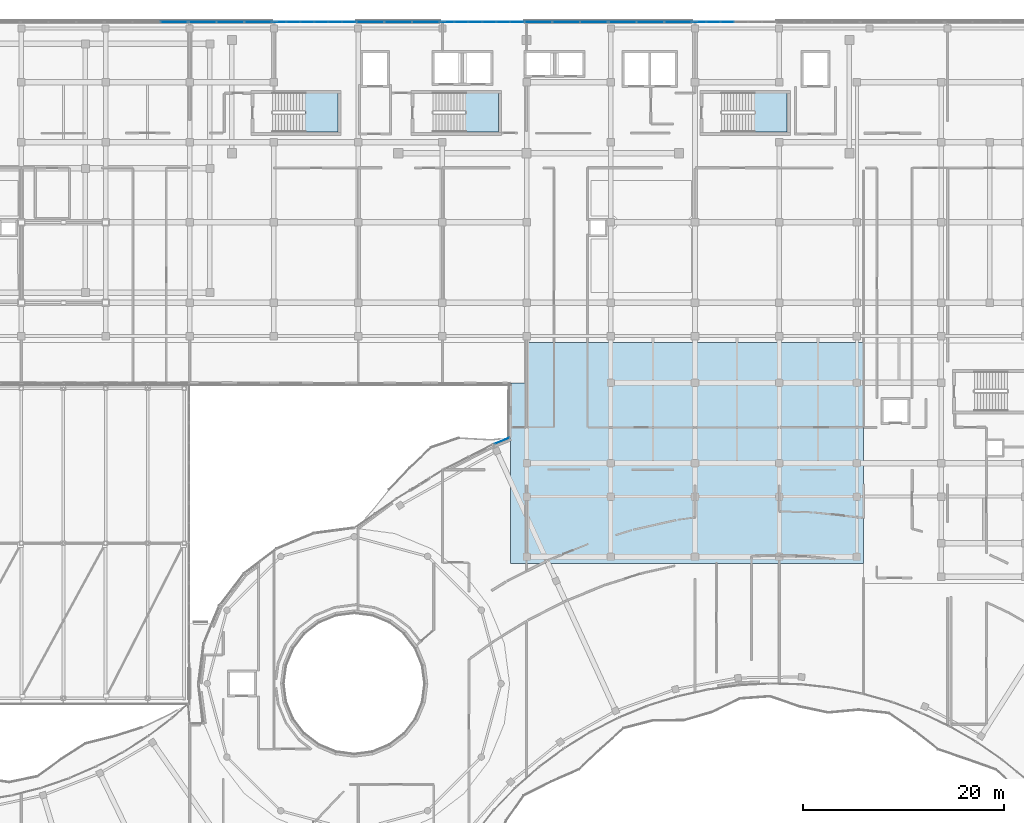
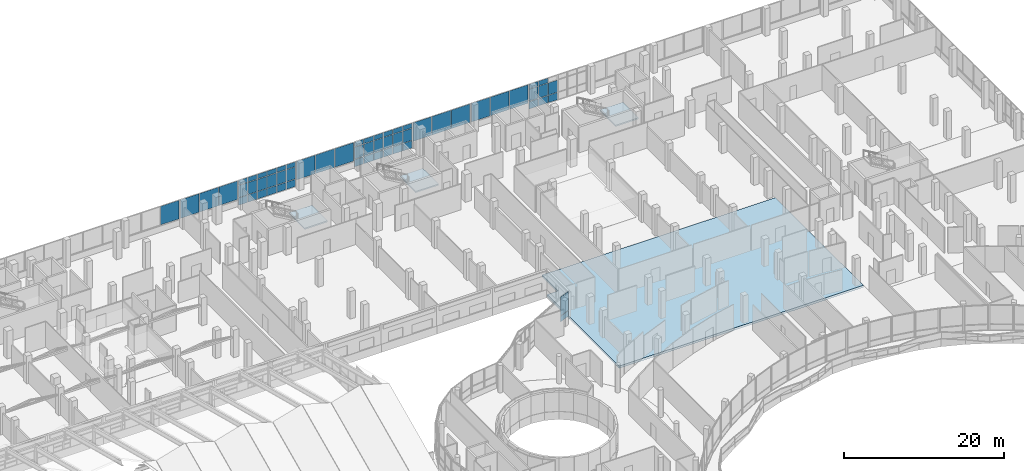
# One storey, part 155 of 184: 59 plates, 4 slabs, 12 elements without a shape of their own.
"""IFC4 building model written with IfcOpenShell, lengths in metres."""

from ifc_helpers import new_model, si_unit, direction, frame, origin, origin_2d, place, context, subcontext, project, spatial, polyline, rectangle, outline, extrude, material, layer, layer_set, type_object, element, aggregate, save


model = new_model("IFC4")

# Units and contexts
model_context = context("Model", 3, precision=1e-05, world=origin(), true_north=direction((0.0, 1.0)))
body_context = subcontext(model_context, "Body", "Model", "MODEL_VIEW")
ifc_project = project(units=[si_unit("LENGTHUNIT", "METRE"), si_unit("AREAUNIT", "SQUARE_METRE"), si_unit("VOLUMEUNIT", "CUBIC_METRE"), si_unit("PLANEANGLEUNIT", "RADIAN"), si_unit("MASSUNIT", "GRAM", prefix="KILO")], contexts=[model_context])

# Site, building, storey
site_placement = place(None, origin())
site = spatial("IfcSite", under=ifc_project, at=site_placement, CompositionType="ELEMENT")
building_placement = place(site_placement, origin())
building = spatial("IfcBuilding", under=site, at=building_placement, Name="Selatvlak General Hospital", CompositionType="ELEMENT")
storey_placement = place(building_placement, frame((0.0, 0.0, 15.0)))
storey = spatial("IfcBuildingStorey", under=building, at=storey_placement, Name="L03", CompositionType="ELEMENT", Elevation=15.0)

# Curtain wall, plate
ifc_material_1 = material(Name="Solar-control Low-E double glazing", Category="glass")
curtain_wall_type_1 = type_object("IfcCurtainWallType", Name="CW-CW-02", PredefinedType="USERDEFINED", material=ifc_material_1)
curtain_wall_1_placement = place(storey_placement, origin())
curtain_wall_1 = element("IfcCurtainWall", 1, at=curtain_wall_1_placement, inside=storey, type_object=curtain_wall_type_1, Name="Glazed facade curtain wall CW-L03-0371", ObjectType="UNITISED CURTAIN WALL", PredefinedType="USERDEFINED")
ifc_layer_1 = layer(ifc_material_1, 0.028076171875, Name="Solar-control Low-E double glazing", Category="glass")
ifc_layer_set_1 = layer_set([ifc_layer_1], Name="Solar-control Low-E double glazing")
plate_type = type_object("IfcPlateType", Name="CWP-01", PredefinedType="CURTAIN_PANEL", material=ifc_layer_set_1)
plate_1_placement = place(storey_placement, frame((80.025390625, 119.9990234375, 1.0048828125), z_axis=(0.0, 0.0, 1.0), x_axis=(1.0, 0.0, 0.0)))
plate_1 = element("IfcPlate", 2, at=plate_1_placement, type_object=plate_type, Name="CW-02 panel 3.1", PredefinedType="CURTAIN_PANEL", context=body_context, shape_type="SweptSolid", body=[
    extrude(rectangle(XDim=2.669189453125, YDim=0.028076171875, at=origin_2d()), origin(), (0.0, 0.0, 1.0), 2.824951171875),
])
aggregate(curtain_wall_1, [plate_1])

# Curtain wall, plates
curtain_wall_type_2 = type_object("IfcCurtainWallType", Name="CW-CW-01", PredefinedType="USERDEFINED", material=ifc_material_1)
curtain_wall_2_placement = place(storey_placement, origin())
curtain_wall_2 = element("IfcCurtainWall", 3, at=curtain_wall_2_placement, inside=storey, type_object=curtain_wall_type_2, Name="Glazed facade curtain wall CW-L03-0372", ObjectType="UNITISED CURTAIN WALL", PredefinedType="USERDEFINED")
plate_2_placement = place(storey_placement, frame((82.904541015625, 119.9990234375, 1.0048828125), z_axis=(0.0, 0.0, 1.0), x_axis=(1.0, 0.0, 0.0)))
plate_2 = element("IfcPlate", 4, at=plate_2_placement, type_object=plate_type, Name="CW-01 panel 1.1", PredefinedType="CURTAIN_PANEL", context=body_context, shape_type="SweptSolid", body=[
    extrude(rectangle(XDim=2.669189453125, YDim=0.028076171875, at=origin_2d()), origin(), (0.0, 0.0, 1.0), 2.824951171875),
])
plate_3_placement = place(storey_placement, frame((85.655029296875, 119.9990234375, 1.0048828125), z_axis=(0.0, 0.0, 1.0), x_axis=(1.0, 0.0, 0.0)))
plate_3 = element("IfcPlate", 5, at=plate_3_placement, type_object=plate_type, Name="CW-01 panel 2.1", PredefinedType="CURTAIN_PANEL", context=body_context, shape_type="SweptSolid", body=[
    extrude(rectangle(XDim=2.70166015625, YDim=0.028076171875, at=origin_2d()), origin(), (0.0, 0.0, 1.0), 2.824951171875),
])
plate_4_placement = place(storey_placement, frame((88.405517578125, 119.9990234375, 1.0048828125), z_axis=(0.0, 0.0, 1.0), x_axis=(1.0, 0.0, 0.0)))
plate_4 = element("IfcPlate", 6, at=plate_4_placement, type_object=plate_type, Name="CW-01 panel 3.1", PredefinedType="CURTAIN_PANEL", context=body_context, shape_type="SweptSolid", body=[
    extrude(rectangle(XDim=2.669189453125, YDim=0.028076171875, at=origin_2d()), origin(), (0.0, 0.0, 1.0), 2.824951171875),
])
aggregate(curtain_wall_2, [plate_2, plate_3, plate_4])

curtain_wall_type_3 = type_object("IfcCurtainWallType", Name="CW-CW-04", PredefinedType="USERDEFINED", material=ifc_material_1)
curtain_wall_3_placement = place(storey_placement, origin())
curtain_wall_3 = element("IfcCurtainWall", 7, at=curtain_wall_3_placement, inside=storey, type_object=curtain_wall_type_3, Name="Glazed facade curtain wall CW-L03-0373", ObjectType="STICK GLAZING WALL", PredefinedType="USERDEFINED")
plate_5_placement = place(storey_placement, frame((90.547119140625, 119.9990234375, 0.06494140625), z_axis=(0.0, 0.0, 1.0), x_axis=(1.0, 0.0, 0.0)))
plate_5 = element("IfcPlate", 8, at=plate_5_placement, type_object=plate_type, Name="CW-04 panel 1.1", PredefinedType="CURTAIN_PANEL", context=body_context, shape_type="SweptSolid", body=[
    extrude(rectangle(XDim=1.294189453125, YDim=0.028076171875, at=origin_2d()), origin(), (0.0, 0.0, 1.0), 1.1025390625),
])
plate_6_placement = place(storey_placement, frame((90.547119140625, 119.9990234375, 1.232421875), z_axis=(0.0, 0.0, 1.0), x_axis=(1.0, 0.0, 0.0)))
plate_6 = element("IfcPlate", 9, at=plate_6_placement, type_object=plate_type, Name="CW-04 panel 1.2", PredefinedType="CURTAIN_PANEL", context=body_context, shape_type="SweptSolid", body=[
    extrude(rectangle(XDim=1.294189453125, YDim=0.028076171875, at=origin_2d()), origin(), (0.0, 0.0, 1.0), 1.830078125),
])
plate_7_placement = place(storey_placement, frame((90.547119140625, 119.9990234375, 3.12744140625), z_axis=(0.0, 0.0, 1.0), x_axis=(1.0, 0.0, 0.0)))
plate_7 = element("IfcPlate", 10, at=plate_7_placement, type_object=plate_type, Name="CW-04 panel 1.3", PredefinedType="CURTAIN_PANEL", context=body_context, shape_type="SweptSolid", body=[
    extrude(rectangle(XDim=1.294189453125, YDim=0.028076171875, at=origin_2d()), origin(), (0.0, 0.0, 1.0), 0.702392578125),
])
plate_8_placement = place(storey_placement, frame((91.922607421875, 119.9990234375, 0.06494140625), z_axis=(0.0, 0.0, 1.0), x_axis=(1.0, 0.0, 0.0)))
plate_8 = element("IfcPlate", 11, at=plate_8_placement, type_object=plate_type, Name="CW-04 panel 2.1", PredefinedType="CURTAIN_PANEL", context=body_context, shape_type="SweptSolid", body=[
    extrude(rectangle(XDim=1.32666015625, YDim=0.028076171875, at=origin_2d()), origin(), (0.0, 0.0, 1.0), 1.1025390625),
])
plate_9_placement = place(storey_placement, frame((91.922607421875, 119.9990234375, 1.232421875), z_axis=(0.0, 0.0, 1.0), x_axis=(1.0, 0.0, 0.0)))
plate_9 = element("IfcPlate", 12, at=plate_9_placement, type_object=plate_type, Name="CW-04 panel 2.2", PredefinedType="CURTAIN_PANEL", context=body_context, shape_type="SweptSolid", body=[
    extrude(rectangle(XDim=1.32666015625, YDim=0.028076171875, at=origin_2d()), origin(), (0.0, 0.0, 1.0), 1.830078125),
])
plate_10_placement = place(storey_placement, frame((91.922607421875, 119.9990234375, 3.12744140625), z_axis=(0.0, 0.0, 1.0), x_axis=(1.0, 0.0, 0.0)))
plate_10 = element("IfcPlate", 13, at=plate_10_placement, type_object=plate_type, Name="CW-04 panel 2.3", PredefinedType="CURTAIN_PANEL", context=body_context, shape_type="SweptSolid", body=[
    extrude(rectangle(XDim=1.32666015625, YDim=0.028076171875, at=origin_2d()), origin(), (0.0, 0.0, 1.0), 0.702392578125),
])
plate_11_placement = place(storey_placement, frame((93.314208984375, 119.9990234375, 0.06494140625), z_axis=(0.0, 0.0, 1.0), x_axis=(1.0, 0.0, 0.0)))
plate_11 = element("IfcPlate", 14, at=plate_11_placement, type_object=plate_type, Name="CW-04 panel 3.1", PredefinedType="CURTAIN_PANEL", context=body_context, shape_type="SweptSolid", body=[
    extrude(rectangle(XDim=1.32666015625, YDim=0.028076171875, at=origin_2d()), origin(), (0.0, 0.0, 1.0), 1.1025390625),
])
plate_12_placement = place(storey_placement, frame((93.314208984375, 119.9990234375, 1.232421875), z_axis=(0.0, 0.0, 1.0), x_axis=(1.0, 0.0, 0.0)))
plate_12 = element("IfcPlate", 15, at=plate_12_placement, type_object=plate_type, Name="CW-04 panel 3.2", PredefinedType="CURTAIN_PANEL", context=body_context, shape_type="SweptSolid", body=[
    extrude(rectangle(XDim=1.32666015625, YDim=0.028076171875, at=origin_2d()), origin(), (0.0, 0.0, 1.0), 1.830078125),
])
plate_13_placement = place(storey_placement, frame((93.314208984375, 119.9990234375, 3.12744140625), z_axis=(0.0, 0.0, 1.0), x_axis=(1.0, 0.0, 0.0)))
plate_13 = element("IfcPlate", 16, at=plate_13_placement, type_object=plate_type, Name="CW-04 panel 3.3", PredefinedType="CURTAIN_PANEL", context=body_context, shape_type="SweptSolid", body=[
    extrude(rectangle(XDim=1.32666015625, YDim=0.028076171875, at=origin_2d()), origin(), (0.0, 0.0, 1.0), 0.702392578125),
])
plate_14_placement = place(storey_placement, frame((94.705810546875, 119.9990234375, 0.06494140625), z_axis=(0.0, 0.0, 1.0), x_axis=(1.0, 0.0, 0.0)))
plate_14 = element("IfcPlate", 17, at=plate_14_placement, type_object=plate_type, Name="CW-04 panel 4.1", PredefinedType="CURTAIN_PANEL", context=body_context, shape_type="SweptSolid", body=[
    extrude(rectangle(XDim=1.32666015625, YDim=0.028076171875, at=origin_2d()), origin(), (0.0, 0.0, 1.0), 1.1025390625),
])
plate_15_placement = place(storey_placement, frame((94.705810546875, 119.9990234375, 1.232421875), z_axis=(0.0, 0.0, 1.0), x_axis=(1.0, 0.0, 0.0)))
plate_15 = element("IfcPlate", 18, at=plate_15_placement, type_object=plate_type, Name="CW-04 panel 4.2", PredefinedType="CURTAIN_PANEL", context=body_context, shape_type="SweptSolid", body=[
    extrude(rectangle(XDim=1.32666015625, YDim=0.028076171875, at=origin_2d()), origin(), (0.0, 0.0, 1.0), 1.830078125),
])
plate_16_placement = place(storey_placement, frame((94.705810546875, 119.9990234375, 3.12744140625), z_axis=(0.0, 0.0, 1.0), x_axis=(1.0, 0.0, 0.0)))
plate_16 = element("IfcPlate", 19, at=plate_16_placement, type_object=plate_type, Name="CW-04 panel 4.3", PredefinedType="CURTAIN_PANEL", context=body_context, shape_type="SweptSolid", body=[
    extrude(rectangle(XDim=1.32666015625, YDim=0.028076171875, at=origin_2d()), origin(), (0.0, 0.0, 1.0), 0.702392578125),
])
plate_17_placement = place(storey_placement, frame((96.097412109375, 119.9990234375, 0.06494140625), z_axis=(0.0, 0.0, 1.0), x_axis=(1.0, 0.0, 0.0)))
plate_17 = element("IfcPlate", 20, at=plate_17_placement, type_object=plate_type, Name="CW-04 panel 5.1", PredefinedType="CURTAIN_PANEL", context=body_context, shape_type="SweptSolid", body=[
    extrude(rectangle(XDim=1.32666015625, YDim=0.028076171875, at=origin_2d()), origin(), (0.0, 0.0, 1.0), 1.1025390625),
])
plate_18_placement = place(storey_placement, frame((96.097412109375, 119.9990234375, 1.232421875), z_axis=(0.0, 0.0, 1.0), x_axis=(1.0, 0.0, 0.0)))
plate_18 = element("IfcPlate", 21, at=plate_18_placement, type_object=plate_type, Name="CW-04 panel 5.2", PredefinedType="CURTAIN_PANEL", context=body_context, shape_type="SweptSolid", body=[
    extrude(rectangle(XDim=1.32666015625, YDim=0.028076171875, at=origin_2d()), origin(), (0.0, 0.0, 1.0), 1.830078125),
])
plate_19_placement = place(storey_placement, frame((96.097412109375, 119.9990234375, 3.12744140625), z_axis=(0.0, 0.0, 1.0), x_axis=(1.0, 0.0, 0.0)))
plate_19 = element("IfcPlate", 22, at=plate_19_placement, type_object=plate_type, Name="CW-04 panel 5.3", PredefinedType="CURTAIN_PANEL", context=body_context, shape_type="SweptSolid", body=[
    extrude(rectangle(XDim=1.32666015625, YDim=0.028076171875, at=origin_2d()), origin(), (0.0, 0.0, 1.0), 0.702392578125),
])
plate_20_placement = place(storey_placement, frame((97.472900390625, 119.9990234375, 0.06494140625), z_axis=(0.0, 0.0, 1.0), x_axis=(1.0, 0.0, 0.0)))
plate_20 = element("IfcPlate", 23, at=plate_20_placement, type_object=plate_type, Name="CW-04 panel 6.1", PredefinedType="CURTAIN_PANEL", context=body_context, shape_type="SweptSolid", body=[
    extrude(rectangle(XDim=1.294189453125, YDim=0.028076171875, at=origin_2d()), origin(), (0.0, 0.0, 1.0), 1.1025390625),
])
plate_21_placement = place(storey_placement, frame((97.472900390625, 119.9990234375, 1.232421875), z_axis=(0.0, 0.0, 1.0), x_axis=(1.0, 0.0, 0.0)))
plate_21 = element("IfcPlate", 24, at=plate_21_placement, type_object=plate_type, Name="CW-04 panel 6.2", PredefinedType="CURTAIN_PANEL", context=body_context, shape_type="SweptSolid", body=[
    extrude(rectangle(XDim=1.294189453125, YDim=0.028076171875, at=origin_2d()), origin(), (0.0, 0.0, 1.0), 1.830078125),
])
plate_22_placement = place(storey_placement, frame((97.472900390625, 119.9990234375, 3.12744140625), z_axis=(0.0, 0.0, 1.0), x_axis=(1.0, 0.0, 0.0)))
plate_22 = element("IfcPlate", 25, at=plate_22_placement, type_object=plate_type, Name="CW-04 panel 6.3", PredefinedType="CURTAIN_PANEL", context=body_context, shape_type="SweptSolid", body=[
    extrude(rectangle(XDim=1.294189453125, YDim=0.028076171875, at=origin_2d()), origin(), (0.0, 0.0, 1.0), 0.702392578125),
])
aggregate(curtain_wall_3, [plate_5, plate_6, plate_7, plate_8, plate_9, plate_10, plate_11, plate_12, plate_13, plate_14, plate_15, plate_16, plate_17, plate_18, plate_19, plate_20, plate_21, plate_22])

curtain_wall_4_placement = place(storey_placement, origin())
curtain_wall_4 = element("IfcCurtainWall", 26, at=curtain_wall_4_placement, inside=storey, type_object=curtain_wall_type_2, Name="Glazed facade curtain wall CW-L03-0374", ObjectType="UNITISED CURTAIN WALL", PredefinedType="USERDEFINED")
plate_23_placement = place(storey_placement, frame((99.622802734375, 119.999267578125, 1.0048828125), z_axis=(0.0, 0.0, 1.0), x_axis=(0.999999992827, 0.000119774825, 0.0)))
plate_23 = element("IfcPlate", 27, at=plate_23_placement, type_object=plate_type, Name="CW-01 panel 1.1", PredefinedType="CURTAIN_PANEL", context=body_context, shape_type="SweptSolid", body=[
    extrude(rectangle(XDim=2.685546875, YDim=0.028076171875, at=origin_2d()), origin(), (0.0, 0.0, 1.0), 2.824951171875),
])
plate_24_placement = place(storey_placement, frame((102.389404296875, 119.99951171875, 1.0048828125), z_axis=(0.0, 0.0, 1.0), x_axis=(0.999999992827, 0.000119774825, 0.0)))
plate_24 = element("IfcPlate", 28, at=plate_24_placement, type_object=plate_type, Name="CW-01 panel 2.1", PredefinedType="CURTAIN_PANEL", context=body_context, shape_type="SweptSolid", body=[
    extrude(rectangle(XDim=2.718017578125, YDim=0.028076171875, at=origin_2d()), origin(), (0.0, 0.0, 1.0), 2.824951171875),
])
plate_25_placement = place(storey_placement, frame((105.15625, 119.999755859375, 1.0048828125), z_axis=(0.0, 0.0, 1.0), x_axis=(0.999999992827, 0.000119774825, 0.0)))
plate_25 = element("IfcPlate", 29, at=plate_25_placement, type_object=plate_type, Name="CW-01 panel 3.1", PredefinedType="CURTAIN_PANEL", context=body_context, shape_type="SweptSolid", body=[
    extrude(rectangle(XDim=2.685546875, YDim=0.028076171875, at=origin_2d()), origin(), (0.0, 0.0, 1.0), 2.824951171875),
])
aggregate(curtain_wall_4, [plate_23, plate_24, plate_25])

curtain_wall_5_placement = place(storey_placement, origin())
curtain_wall_5 = element("IfcCurtainWall", 30, at=curtain_wall_5_placement, inside=storey, type_object=curtain_wall_type_3, Name="Glazed facade curtain wall CW-L03-0375", ObjectType="STICK GLAZING WALL", PredefinedType="USERDEFINED")
plate_26_placement = place(storey_placement, frame((107.30615234375, 120.0, 0.06494140625), z_axis=(0.0, 0.0, 1.0), x_axis=(1.0, 0.0, 0.0)))
plate_26 = element("IfcPlate", 31, at=plate_26_placement, type_object=plate_type, Name="CW-04 panel 1.1", PredefinedType="CURTAIN_PANEL", context=body_context, shape_type="SweptSolid", body=[
    extrude(rectangle(XDim=1.294189453125, YDim=0.028076171875, at=origin_2d()), origin(), (0.0, 0.0, 1.0), 1.1025390625),
])
plate_27_placement = place(storey_placement, frame((107.30615234375, 120.0, 1.232421875), z_axis=(0.0, 0.0, 1.0), x_axis=(1.0, 0.0, 0.0)))
plate_27 = element("IfcPlate", 32, at=plate_27_placement, type_object=plate_type, Name="CW-04 panel 1.2", PredefinedType="CURTAIN_PANEL", context=body_context, shape_type="SweptSolid", body=[
    extrude(rectangle(XDim=1.294189453125, YDim=0.028076171875, at=origin_2d()), origin(), (0.0, 0.0, 1.0), 1.830078125),
])
plate_28_placement = place(storey_placement, frame((107.30615234375, 120.0, 3.12744140625), z_axis=(0.0, 0.0, 1.0), x_axis=(1.0, 0.0, 0.0)))
plate_28 = element("IfcPlate", 33, at=plate_28_placement, type_object=plate_type, Name="CW-04 panel 1.3", PredefinedType="CURTAIN_PANEL", context=body_context, shape_type="SweptSolid", body=[
    extrude(rectangle(XDim=1.294189453125, YDim=0.028076171875, at=origin_2d()), origin(), (0.0, 0.0, 1.0), 0.702392578125),
])
plate_29_placement = place(storey_placement, frame((108.681396484375, 120.0, 0.06494140625), z_axis=(0.0, 0.0, 1.0), x_axis=(1.0, 0.0, 0.0)))
plate_29 = element("IfcPlate", 34, at=plate_29_placement, type_object=plate_type, Name="CW-04 panel 2.1", PredefinedType="CURTAIN_PANEL", context=body_context, shape_type="SweptSolid", body=[
    extrude(rectangle(XDim=1.32666015625, YDim=0.028076171875, at=origin_2d()), origin(), (0.0, 0.0, 1.0), 1.1025390625),
])
plate_30_placement = place(storey_placement, frame((108.681396484375, 120.0, 1.232421875), z_axis=(0.0, 0.0, 1.0), x_axis=(1.0, 0.0, 0.0)))
plate_30 = element("IfcPlate", 35, at=plate_30_placement, type_object=plate_type, Name="CW-04 panel 2.2", PredefinedType="CURTAIN_PANEL", context=body_context, shape_type="SweptSolid", body=[
    extrude(rectangle(XDim=1.32666015625, YDim=0.028076171875, at=origin_2d()), origin(), (0.0, 0.0, 1.0), 1.830078125),
])
plate_31_placement = place(storey_placement, frame((108.681396484375, 120.0, 3.12744140625), z_axis=(0.0, 0.0, 1.0), x_axis=(1.0, 0.0, 0.0)))
plate_31 = element("IfcPlate", 36, at=plate_31_placement, type_object=plate_type, Name="CW-04 panel 2.3", PredefinedType="CURTAIN_PANEL", context=body_context, shape_type="SweptSolid", body=[
    extrude(rectangle(XDim=1.32666015625, YDim=0.028076171875, at=origin_2d()), origin(), (0.0, 0.0, 1.0), 0.702392578125),
])
plate_32_placement = place(storey_placement, frame((110.0732421875, 120.0, 0.06494140625), z_axis=(0.0, 0.0, 1.0), x_axis=(1.0, 0.0, 0.0)))
plate_32 = element("IfcPlate", 37, at=plate_32_placement, type_object=plate_type, Name="CW-04 panel 3.1", PredefinedType="CURTAIN_PANEL", context=body_context, shape_type="SweptSolid", body=[
    extrude(rectangle(XDim=1.32666015625, YDim=0.028076171875, at=origin_2d()), origin(), (0.0, 0.0, 1.0), 1.1025390625),
])
plate_33_placement = place(storey_placement, frame((110.0732421875, 120.0, 1.232421875), z_axis=(0.0, 0.0, 1.0), x_axis=(1.0, 0.0, 0.0)))
plate_33 = element("IfcPlate", 38, at=plate_33_placement, type_object=plate_type, Name="CW-04 panel 3.2", PredefinedType="CURTAIN_PANEL", context=body_context, shape_type="SweptSolid", body=[
    extrude(rectangle(XDim=1.32666015625, YDim=0.028076171875, at=origin_2d()), origin(), (0.0, 0.0, 1.0), 1.830078125),
])
plate_34_placement = place(storey_placement, frame((110.0732421875, 120.0, 3.12744140625), z_axis=(0.0, 0.0, 1.0), x_axis=(1.0, 0.0, 0.0)))
plate_34 = element("IfcPlate", 39, at=plate_34_placement, type_object=plate_type, Name="CW-04 panel 3.3", PredefinedType="CURTAIN_PANEL", context=body_context, shape_type="SweptSolid", body=[
    extrude(rectangle(XDim=1.32666015625, YDim=0.028076171875, at=origin_2d()), origin(), (0.0, 0.0, 1.0), 0.702392578125),
])
plate_35_placement = place(storey_placement, frame((111.46484375, 120.0, 0.06494140625), z_axis=(0.0, 0.0, 1.0), x_axis=(1.0, 0.0, 0.0)))
plate_35 = element("IfcPlate", 40, at=plate_35_placement, type_object=plate_type, Name="CW-04 panel 4.1", PredefinedType="CURTAIN_PANEL", context=body_context, shape_type="SweptSolid", body=[
    extrude(rectangle(XDim=1.32666015625, YDim=0.028076171875, at=origin_2d()), origin(), (0.0, 0.0, 1.0), 1.1025390625),
])
plate_36_placement = place(storey_placement, frame((111.46484375, 120.0, 1.232421875), z_axis=(0.0, 0.0, 1.0), x_axis=(1.0, 0.0, 0.0)))
plate_36 = element("IfcPlate", 41, at=plate_36_placement, type_object=plate_type, Name="CW-04 panel 4.2", PredefinedType="CURTAIN_PANEL", context=body_context, shape_type="SweptSolid", body=[
    extrude(rectangle(XDim=1.32666015625, YDim=0.028076171875, at=origin_2d()), origin(), (0.0, 0.0, 1.0), 1.830078125),
])
plate_37_placement = place(storey_placement, frame((111.46484375, 120.0, 3.12744140625), z_axis=(0.0, 0.0, 1.0), x_axis=(1.0, 0.0, 0.0)))
plate_37 = element("IfcPlate", 42, at=plate_37_placement, type_object=plate_type, Name="CW-04 panel 4.3", PredefinedType="CURTAIN_PANEL", context=body_context, shape_type="SweptSolid", body=[
    extrude(rectangle(XDim=1.32666015625, YDim=0.028076171875, at=origin_2d()), origin(), (0.0, 0.0, 1.0), 0.702392578125),
])
plate_38_placement = place(storey_placement, frame((112.8564453125, 120.0, 0.06494140625), z_axis=(0.0, 0.0, 1.0), x_axis=(1.0, 0.0, 0.0)))
plate_38 = element("IfcPlate", 43, at=plate_38_placement, type_object=plate_type, Name="CW-04 panel 5.1", PredefinedType="CURTAIN_PANEL", context=body_context, shape_type="SweptSolid", body=[
    extrude(rectangle(XDim=1.32666015625, YDim=0.028076171875, at=origin_2d()), origin(), (0.0, 0.0, 1.0), 1.1025390625),
])
plate_39_placement = place(storey_placement, frame((112.8564453125, 120.0, 1.232421875), z_axis=(0.0, 0.0, 1.0), x_axis=(1.0, 0.0, 0.0)))
plate_39 = element("IfcPlate", 44, at=plate_39_placement, type_object=plate_type, Name="CW-04 panel 5.2", PredefinedType="CURTAIN_PANEL", context=body_context, shape_type="SweptSolid", body=[
    extrude(rectangle(XDim=1.32666015625, YDim=0.028076171875, at=origin_2d()), origin(), (0.0, 0.0, 1.0), 1.830078125),
])
plate_40_placement = place(storey_placement, frame((112.8564453125, 120.0, 3.12744140625), z_axis=(0.0, 0.0, 1.0), x_axis=(1.0, 0.0, 0.0)))
plate_40 = element("IfcPlate", 45, at=plate_40_placement, type_object=plate_type, Name="CW-04 panel 5.3", PredefinedType="CURTAIN_PANEL", context=body_context, shape_type="SweptSolid", body=[
    extrude(rectangle(XDim=1.32666015625, YDim=0.028076171875, at=origin_2d()), origin(), (0.0, 0.0, 1.0), 0.702392578125),
])
plate_41_placement = place(storey_placement, frame((114.23193359375, 120.0, 0.06494140625), z_axis=(0.0, 0.0, 1.0), x_axis=(1.0, 0.0, 0.0)))
plate_41 = element("IfcPlate", 46, at=plate_41_placement, type_object=plate_type, Name="CW-04 panel 6.1", PredefinedType="CURTAIN_PANEL", context=body_context, shape_type="SweptSolid", body=[
    extrude(rectangle(XDim=1.294189453125, YDim=0.028076171875, at=origin_2d()), origin(), (0.0, 0.0, 1.0), 1.1025390625),
])
plate_42_placement = place(storey_placement, frame((114.23193359375, 120.0, 1.232421875), z_axis=(0.0, 0.0, 1.0), x_axis=(1.0, 0.0, 0.0)))
plate_42 = element("IfcPlate", 47, at=plate_42_placement, type_object=plate_type, Name="CW-04 panel 6.2", PredefinedType="CURTAIN_PANEL", context=body_context, shape_type="SweptSolid", body=[
    extrude(rectangle(XDim=1.294189453125, YDim=0.028076171875, at=origin_2d()), origin(), (0.0, 0.0, 1.0), 1.830078125),
])
plate_43_placement = place(storey_placement, frame((114.23193359375, 120.0, 3.12744140625), z_axis=(0.0, 0.0, 1.0), x_axis=(1.0, 0.0, 0.0)))
plate_43 = element("IfcPlate", 48, at=plate_43_placement, type_object=plate_type, Name="CW-04 panel 6.3", PredefinedType="CURTAIN_PANEL", context=body_context, shape_type="SweptSolid", body=[
    extrude(rectangle(XDim=1.294189453125, YDim=0.028076171875, at=origin_2d()), origin(), (0.0, 0.0, 1.0), 0.702392578125),
])
aggregate(curtain_wall_5, [plate_26, plate_27, plate_28, plate_29, plate_30, plate_31, plate_32, plate_33, plate_34, plate_35, plate_36, plate_37, plate_38, plate_39, plate_40, plate_41, plate_42, plate_43])

curtain_wall_6_placement = place(storey_placement, origin())
curtain_wall_6 = element("IfcCurtainWall", 49, at=curtain_wall_6_placement, inside=storey, type_object=curtain_wall_type_2, Name="Glazed facade curtain wall CW-L03-0376", ObjectType="UNITISED CURTAIN WALL", PredefinedType="USERDEFINED")
plate_44_placement = place(storey_placement, frame((116.3818359375, 120.0, 1.0048828125), z_axis=(0.0, 0.0, 1.0), x_axis=(1.0, 0.0, 0.0)))
plate_44 = element("IfcPlate", 50, at=plate_44_placement, type_object=plate_type, Name="CW-01 panel 1.1", PredefinedType="CURTAIN_PANEL", context=body_context, shape_type="SweptSolid", body=[
    extrude(rectangle(XDim=2.685791015625, YDim=0.028076171875, at=origin_2d()), origin(), (0.0, 0.0, 1.0), 2.824951171875),
])
plate_45_placement = place(storey_placement, frame((119.14892578125, 120.0, 1.0048828125), z_axis=(0.0, 0.0, 1.0), x_axis=(1.0, 0.0, 0.0)))
plate_45 = element("IfcPlate", 51, at=plate_45_placement, type_object=plate_type, Name="CW-01 panel 2.1", PredefinedType="CURTAIN_PANEL", context=body_context, shape_type="SweptSolid", body=[
    extrude(rectangle(XDim=2.71826171875, YDim=0.028076171875, at=origin_2d()), origin(), (0.0, 0.0, 1.0), 2.824951171875),
])
plate_46_placement = place(storey_placement, frame((121.916015625, 120.0, 1.0048828125), z_axis=(0.0, 0.0, 1.0), x_axis=(1.0, 0.0, 0.0)))
plate_46 = element("IfcPlate", 52, at=plate_46_placement, type_object=plate_type, Name="CW-01 panel 3.1", PredefinedType="CURTAIN_PANEL", context=body_context, shape_type="SweptSolid", body=[
    extrude(rectangle(XDim=2.685791015625, YDim=0.028076171875, at=origin_2d()), origin(), (0.0, 0.0, 1.0), 2.824951171875),
])
aggregate(curtain_wall_6, [plate_44, plate_45, plate_46])

curtain_wall_7_placement = place(storey_placement, origin())
curtain_wall_7 = element("IfcCurtainWall", 53, at=curtain_wall_7_placement, inside=storey, type_object=curtain_wall_type_1, Name="Glazed facade curtain wall CW-L03-0377", ObjectType="UNITISED CURTAIN WALL", PredefinedType="USERDEFINED")
plate_47_placement = place(storey_placement, frame((124.803466796875, 120.0, 1.0048828125), z_axis=(0.0, 0.0, 1.0), x_axis=(1.0, 0.0, 0.0)))
plate_47 = element("IfcPlate", 54, at=plate_47_placement, type_object=plate_type, Name="CW-02 panel 1.1", PredefinedType="CURTAIN_PANEL", context=body_context, shape_type="SweptSolid", body=[
    extrude(rectangle(XDim=2.669189453125, YDim=0.028076171875, at=origin_2d()), origin(), (0.0, 0.0, 1.0), 2.824951171875),
])
plate_48_placement = place(storey_placement, frame((127.553955078125, 120.0, 1.0048828125), z_axis=(0.0, 0.0, 1.0), x_axis=(1.0, 0.0, 0.0)))
plate_48 = element("IfcPlate", 55, at=plate_48_placement, type_object=plate_type, Name="CW-02 panel 2.1", PredefinedType="CURTAIN_PANEL", context=body_context, shape_type="SweptSolid", body=[
    extrude(rectangle(XDim=2.70166015625, YDim=0.028076171875, at=origin_2d()), origin(), (0.0, 0.0, 1.0), 2.824951171875),
])
plate_49_placement = place(storey_placement, frame((130.304443359375, 120.0, 1.0048828125), z_axis=(0.0, 0.0, 1.0), x_axis=(1.0, 0.0, 0.0)))
plate_49 = element("IfcPlate", 56, at=plate_49_placement, type_object=plate_type, Name="CW-02 panel 3.1", PredefinedType="CURTAIN_PANEL", context=body_context, shape_type="SweptSolid", body=[
    extrude(rectangle(XDim=2.669189453125, YDim=0.028076171875, at=origin_2d()), origin(), (0.0, 0.0, 1.0), 2.824951171875),
])
aggregate(curtain_wall_7, [plate_47, plate_48, plate_49])

curtain_wall_8_placement = place(storey_placement, origin())
curtain_wall_8 = element("IfcCurtainWall", 57, at=curtain_wall_8_placement, inside=storey, type_object=curtain_wall_type_3, Name="Glazed facade curtain wall CW-L03-0378", ObjectType="STICK GLAZING WALL", PredefinedType="USERDEFINED")
plate_50_placement = place(storey_placement, frame((132.446044921875, 120.0, 0.06494140625), z_axis=(0.0, 0.0, 1.0), x_axis=(1.0, 0.0, 0.0)))
plate_50 = element("IfcPlate", 58, at=plate_50_placement, type_object=plate_type, Name="CW-04 panel 1.1", PredefinedType="CURTAIN_PANEL", context=body_context, shape_type="SweptSolid", body=[
    extrude(rectangle(XDim=1.294189453125, YDim=0.028076171875, at=origin_2d()), origin(), (0.0, 0.0, 1.0), 1.1025390625),
])
plate_51_placement = place(storey_placement, frame((132.446044921875, 120.0, 1.232421875), z_axis=(0.0, 0.0, 1.0), x_axis=(1.0, 0.0, 0.0)))
plate_51 = element("IfcPlate", 59, at=plate_51_placement, type_object=plate_type, Name="CW-04 panel 1.2", PredefinedType="CURTAIN_PANEL", context=body_context, shape_type="SweptSolid", body=[
    extrude(rectangle(XDim=1.294189453125, YDim=0.028076171875, at=origin_2d()), origin(), (0.0, 0.0, 1.0), 1.830078125),
])
plate_52_placement = place(storey_placement, frame((132.446044921875, 120.0, 3.12744140625), z_axis=(0.0, 0.0, 1.0), x_axis=(1.0, 0.0, 0.0)))
plate_52 = element("IfcPlate", 60, at=plate_52_placement, type_object=plate_type, Name="CW-04 panel 1.3", PredefinedType="CURTAIN_PANEL", context=body_context, shape_type="SweptSolid", body=[
    extrude(rectangle(XDim=1.294189453125, YDim=0.028076171875, at=origin_2d()), origin(), (0.0, 0.0, 1.0), 0.702392578125),
])
plate_53_placement = place(storey_placement, frame((133.821533203125, 120.0, 0.06494140625), z_axis=(0.0, 0.0, 1.0), x_axis=(1.0, 0.0, 0.0)))
plate_53 = element("IfcPlate", 61, at=plate_53_placement, type_object=plate_type, Name="CW-04 panel 2.1", PredefinedType="CURTAIN_PANEL", context=body_context, shape_type="SweptSolid", body=[
    extrude(rectangle(XDim=1.32666015625, YDim=0.028076171875, at=origin_2d()), origin(), (0.0, 0.0, 1.0), 1.1025390625),
])
plate_54_placement = place(storey_placement, frame((133.821533203125, 120.0, 1.232421875), z_axis=(0.0, 0.0, 1.0), x_axis=(1.0, 0.0, 0.0)))
plate_54 = element("IfcPlate", 62, at=plate_54_placement, type_object=plate_type, Name="CW-04 panel 2.2", PredefinedType="CURTAIN_PANEL", context=body_context, shape_type="SweptSolid", body=[
    extrude(rectangle(XDim=1.32666015625, YDim=0.028076171875, at=origin_2d()), origin(), (0.0, 0.0, 1.0), 1.830078125),
])
plate_55_placement = place(storey_placement, frame((133.821533203125, 120.0, 3.12744140625), z_axis=(0.0, 0.0, 1.0), x_axis=(1.0, 0.0, 0.0)))
plate_55 = element("IfcPlate", 63, at=plate_55_placement, type_object=plate_type, Name="CW-04 panel 2.3", PredefinedType="CURTAIN_PANEL", context=body_context, shape_type="SweptSolid", body=[
    extrude(rectangle(XDim=1.32666015625, YDim=0.028076171875, at=origin_2d()), origin(), (0.0, 0.0, 1.0), 0.702392578125),
])
plate_56_placement = place(storey_placement, frame((135.213134765625, 120.0, 0.06494140625), z_axis=(0.0, 0.0, 1.0), x_axis=(1.0, 0.0, 0.0)))
plate_56 = element("IfcPlate", 64, at=plate_56_placement, type_object=plate_type, Name="CW-04 panel 3.1", PredefinedType="CURTAIN_PANEL", context=body_context, shape_type="SweptSolid", body=[
    extrude(rectangle(XDim=1.32666015625, YDim=0.028076171875, at=origin_2d()), origin(), (0.0, 0.0, 1.0), 1.1025390625),
])
plate_57_placement = place(storey_placement, frame((135.213134765625, 120.0, 1.232421875), z_axis=(0.0, 0.0, 1.0), x_axis=(1.0, 0.0, 0.0)))
plate_57 = element("IfcPlate", 65, at=plate_57_placement, type_object=plate_type, Name="CW-04 panel 3.2", PredefinedType="CURTAIN_PANEL", context=body_context, shape_type="SweptSolid", body=[
    extrude(rectangle(XDim=1.32666015625, YDim=0.028076171875, at=origin_2d()), origin(), (0.0, 0.0, 1.0), 1.830078125),
])
aggregate(curtain_wall_8, [plate_50, plate_51, plate_52, plate_53, plate_54, plate_55, plate_56, plate_57])

curtain_wall_9_placement = place(storey_placement, origin())
curtain_wall_9 = element("IfcCurtainWall", 66, at=curtain_wall_9_placement, inside=storey, type_object=curtain_wall_type_1, Name="Glazed facade curtain wall CW-L03-0474", ObjectType="UNITISED CURTAIN WALL", PredefinedType="USERDEFINED")
plate_58_placement = place(storey_placement, frame((112.759033203125, 78.223388671875, 0.06494140625), z_axis=(0.0, 0.0, 1.0), x_axis=(0.925826722383, 0.377948250587, 0.0)))
plate_58 = element("IfcPlate", 67, at=plate_58_placement, type_object=plate_type, Name="CW-02 panel 1.1", PredefinedType="CURTAIN_PANEL", context=body_context, shape_type="SweptSolid", body=[
    extrude(rectangle(XDim=1.57666015625, YDim=0.028076171875, at=origin_2d()), origin(), (0.0, 0.0, 1.0), 0.8525390625),
])
plate_59_placement = place(storey_placement, frame((112.759033203125, 78.223388671875, 0.982421875), z_axis=(0.0, 0.0, 1.0), x_axis=(0.925826722383, 0.377948250587, 0.0)))
plate_59 = element("IfcPlate", 68, at=plate_59_placement, type_object=plate_type, Name="CW-02 panel 1.2", PredefinedType="CURTAIN_PANEL", context=body_context, shape_type="SweptSolid", body=[
    extrude(rectangle(XDim=1.57666015625, YDim=0.028076171875, at=origin_2d()), origin(), (0.0, 0.0, 1.0), 2.847412109375),
])
aggregate(curtain_wall_9, [plate_58, plate_59])

# Stair, slab
ifc_material_2 = material(Name="Precast concrete C40/50", Category="concrete")
stair_type_1 = type_object("IfcStairType", Name="STAIR-ST-02", PredefinedType="HALF_TURN_STAIR", material=ifc_material_2)
stair_1_placement = place(storey_placement, origin())
stair_1 = element("IfcStair", 69, at=stair_1_placement, inside=storey, type_object=stair_type_1, Name="L03 Protected exit stair ST-02", PredefinedType="HALF_TURN_STAIR")
ifc_material_3 = material(Name="Concrete C40/50", Category="concrete")
ifc_layer_2 = layer(ifc_material_3, 0.199951171875, Name="Concrete C40/50", Category="concrete")
ifc_layer_set_2 = layer_set([ifc_layer_2], Name="Concrete C40/50")
slab_type_1 = type_object("IfcSlabType", Name="SLAB-LND1", PredefinedType="LANDING", material=ifc_layer_set_2)
slab_1_placement = place(storey_placement, frame((0.0, 0.0, 1.89990234375)))
slab_1 = element("IfcSlab", 70, at=slab_1_placement, type_object=slab_type_1, Name="ST-02 landing 1", PredefinedType="LANDING", context=body_context, shape_type="SweptSolid", body=[
    extrude(outline(polyline([(93.114990234375, 109.0), (96.39990234375, 109.0), (96.39990234375, 112.93994140625), (93.114990234375, 112.93994140625), (93.114990234375, 109.0)])), origin(), (0.0, 0.0, 1.0), 0.2001953125),
])
aggregate(stair_1, [slab_1])

stair_type_2 = type_object("IfcStairType", Name="STAIR-ST-03", PredefinedType="HALF_TURN_STAIR", material=ifc_material_2)
stair_2_placement = place(storey_placement, origin())
stair_2 = element("IfcStair", 71, at=stair_2_placement, inside=storey, type_object=stair_type_2, Name="L03 Protected exit stair ST-03", PredefinedType="HALF_TURN_STAIR")
slab_2_placement = place(storey_placement, frame((0.0, 0.0, 1.89990234375)))
slab_2 = element("IfcSlab", 72, at=slab_2_placement, type_object=slab_type_1, Name="ST-03 landing 1", PredefinedType="LANDING", context=body_context, shape_type="SweptSolid", body=[
    extrude(outline(polyline([(109.114990234375, 109.0), (112.39990234375, 109.0), (112.39990234375, 112.93994140625), (109.114990234375, 112.93994140625), (109.114990234375, 109.0)])), origin(), (0.0, 0.0, 1.0), 0.2001953125),
])
aggregate(stair_2, [slab_2])

stair_type_3 = type_object("IfcStairType", Name="STAIR-ST-04", PredefinedType="HALF_TURN_STAIR", material=ifc_material_2)
stair_3_placement = place(storey_placement, origin())
stair_3 = element("IfcStair", 73, at=stair_3_placement, inside=storey, type_object=stair_type_3, Name="L03 Protected exit stair ST-04", PredefinedType="HALF_TURN_STAIR")
slab_3_placement = place(storey_placement, frame((0.0, 0.0, 1.89990234375)))
slab_3 = element("IfcSlab", 74, at=slab_3_placement, type_object=slab_type_1, Name="ST-04 landing 1", PredefinedType="LANDING", context=body_context, shape_type="SweptSolid", body=[
    extrude(outline(polyline([(137.9150390625, 109.0), (141.199951171875, 109.0), (141.199951171875, 112.93994140625), (137.9150390625, 112.93994140625), (137.9150390625, 109.0)])), origin(), (0.0, 0.0, 1.0), 0.2001953125),
])
aggregate(stair_3, [slab_3])

# Slab
ifc_layer_3 = layer(ifc_material_3, 0.340087890625, Name="Concrete C40/50", Category="concrete")
ifc_layer_set_3 = layer_set([ifc_layer_3], Name="Concrete C40/50")
slab_type_2 = type_object("IfcSlabType", Name="SLAB-SL-FL3", PredefinedType="FLOOR", material=ifc_layer_set_3)
slab_4_placement = place(storey_placement, frame((0.0, 0.0, -0.340087890625)))
element("IfcSlab", 75, at=slab_4_placement, inside=storey, type_object=slab_type_2, Name="L03 V4 structural slab", PredefinedType="FLOOR", context=body_context, shape_type="SweptSolid", body=[
    extrude(outline(polyline([(113.60009765625, 83.991943359375), (115.199951171875, 83.991943359375), (115.2080078125, 88.0), (148.800048828125, 88.0), (148.800048828125, 66.0), (113.60009765625, 66.0), (113.60009765625, 83.991943359375)])), origin(), (0.0, 0.0, 1.0), 0.340087890625),
])

save(model, "model.ifc")
